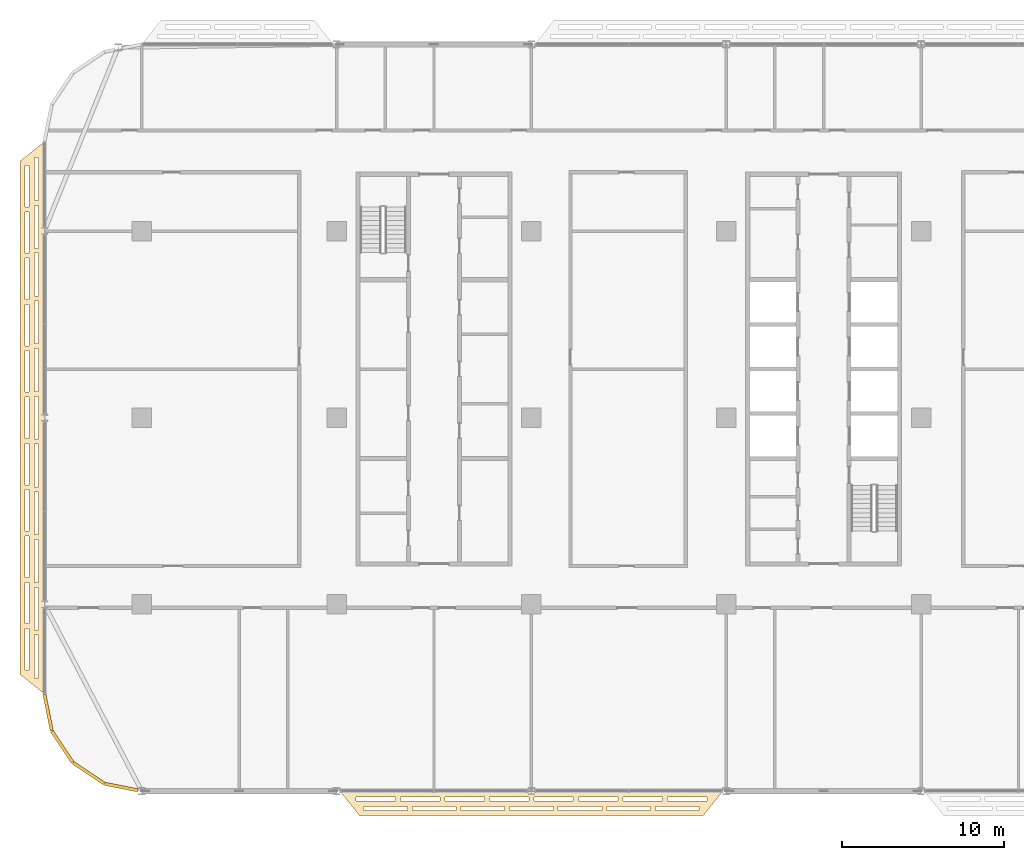
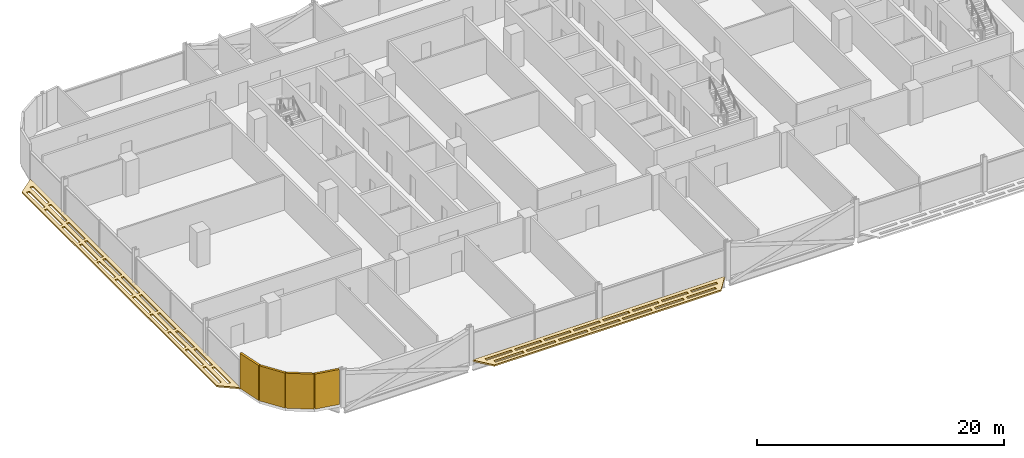
# One storey, part 22 of 27: 6 coverings.
"""IFC4 building model written with IfcOpenShell, lengths in metres."""

from ifc_helpers import new_model, si_unit, direction, frame, origin, origin_2d, place, context, subcontext, project, spatial, polyline, rectangle, outline, extrude, material, layer, layer_set, type_object, element, save


model = new_model("IFC4")

# Units and contexts
model_context = context("Model", 3, precision=1e-05, world=origin(), true_north=direction((0.0, 1.0)))
body_context = subcontext(model_context, "Body", "Model", "MODEL_VIEW")
ifc_project = project(units=[si_unit("LENGTHUNIT", "METRE"), si_unit("AREAUNIT", "SQUARE_METRE"), si_unit("VOLUMEUNIT", "CUBIC_METRE"), si_unit("PLANEANGLEUNIT", "RADIAN"), si_unit("MASSUNIT", "GRAM", prefix="KILO")], contexts=[model_context])

# Site, building, storey
site_placement = place(None, origin())
site = spatial("IfcSite", under=ifc_project, at=site_placement, CompositionType="ELEMENT")
building_placement = place(site_placement, origin())
building = spatial("IfcBuilding", under=site, at=building_placement, Name="Mahtab Terrace Research Tower", CompositionType="ELEMENT")
storey_placement = place(building_placement, frame((0.0, 0.0, 166.800048828125)))
storey = spatial("IfcBuildingStorey", under=building, at=storey_placement, Name="L39", CompositionType="ELEMENT", Elevation=166.800048828125)

# Coverings
ifc_material_1 = material(Name="Black aluminium cladding panel", Category="aluminium")
ifc_layer_1 = layer(ifc_material_1, 0.199951171875)
ifc_layer_set_1 = layer_set([ifc_layer_1], Name="Black metal corner cladding 200")
covering_type_1 = type_object("IfcCoveringType", Name="Black metal corner cladding 200", PredefinedType="CLADDING", material=ifc_layer_set_1)
for number, where, z_axis, x_axis, name in (
    (1, (-47.771484375, -18.14794921875, 0.0), (0.0, 0.0, 1.0), (0.195212442692, -0.980760981187, 0.0), "Corner cladding L39 19"),
    (2, (-46.89306640625, -20.26953125, 0.0), (0.0, 0.0, 1.0), (0.555291490808, -0.831655794326, 0.0), "Corner cladding L39 20"),
    (3, (-45.26953125, -21.89306640625, 0.0), (0.0, 0.0, 1.0), (0.831655794326, -0.555291490808, 0.0), "Corner cladding L39 21"),
):
    element("IfcCovering", number, at=place(storey_placement, frame(where, z_axis=z_axis, x_axis=x_axis)), inside=storey, type_object=covering_type_1, Name=name, PredefinedType="CLADDING", context=body_context, shape_type="SweptSolid", body=[
        extrude(rectangle(XDim=2.30126953125, YDim=0.199951171875, at=origin_2d()), origin(), (0.0, 0.0, 1.0), 3.4599609375),
    ])
covering_1_placement = place(storey_placement, frame((-43.25830078125, -22.74951171875, 0.0), z_axis=(0.0, 0.0, 1.0), x_axis=(0.980760981187, -0.195212442692, 0.0)))
element("IfcCovering", 4, at=covering_1_placement, inside=storey, type_object=covering_type_1, Name="Corner cladding L39 22", PredefinedType="CLADDING", context=body_context, shape_type="SweptSolid", body=[
    extrude(rectangle(XDim=2.07666015625, YDim=0.199951171875, at=origin_2d()), origin(), (0.0, 0.0, 1.0), 3.4599609375),
])
ifc_material_2 = material(Name="Black anodised aluminium", Category="aluminium")
ifc_layer_2 = layer(ifc_material_2, 0.14990234375)
ifc_layer_set_2 = layer_set([ifc_layer_2], Name="Horizontal sunshade band")
covering_type_2 = type_object("IfcCoveringType", Name="Horizontal sunshade band", PredefinedType="CLADDING", material=ifc_layer_set_2)
covering_2_placement = place(storey_placement, frame((0.0, 0.0, -0.150146484375)))
element("IfcCovering", 5, at=covering_2_placement, inside=storey, type_object=covering_type_2, Name="Sunshade band L39 15", PredefinedType="CLADDING", context=body_context, shape_type="SweptSolid", body=[
    extrude(outline(polyline([(-48.0, 17.0), (-48.0, -17.0), (-49.5, -15.800048828125), (-49.5, 15.800048828125), (-48.0, 17.0)]), holes=[polyline([(-48.35009765625, 16.02001953125), (-48.35009765625, 13.3798828125), (-48.60009765625, 13.3798828125), (-48.60009765625, 16.02001953125), (-48.35009765625, 16.02001953125)]), polyline([(-48.35009765625, 13.080078125), (-48.35009765625, 10.43994140625), (-48.60009765625, 10.43994140625), (-48.60009765625, 13.080078125), (-48.35009765625, 13.080078125)]), polyline([(-48.35009765625, 10.139892578125), (-48.35009765625, 7.5), (-48.60009765625, 7.5), (-48.60009765625, 10.139892578125), (-48.35009765625, 10.139892578125)]), polyline([(-48.35009765625, 7.199951171875), (-48.35009765625, 4.56005859375), (-48.60009765625, 4.56005859375), (-48.60009765625, 7.199951171875), (-48.35009765625, 7.199951171875)]), polyline([(-48.35009765625, 4.260009765625), (-48.35009765625, 1.6201171875), (-48.60009765625, 1.6201171875), (-48.60009765625, 4.260009765625), (-48.35009765625, 4.260009765625)]), polyline([(-48.35009765625, 1.320068359375), (-48.35009765625, -1.320068359375), (-48.60009765625, -1.320068359375), (-48.60009765625, 1.320068359375), (-48.35009765625, 1.320068359375)]), polyline([(-48.35009765625, -1.6201171875), (-48.35009765625, -4.260009765625), (-48.60009765625, -4.260009765625), (-48.60009765625, -1.6201171875), (-48.35009765625, -1.6201171875)]), polyline([(-48.35009765625, -4.56005859375), (-48.35009765625, -7.199951171875), (-48.60009765625, -7.199951171875), (-48.60009765625, -4.56005859375), (-48.35009765625, -4.56005859375)]), polyline([(-48.35009765625, -7.5), (-48.35009765625, -10.139892578125), (-48.60009765625, -10.139892578125), (-48.60009765625, -7.5), (-48.35009765625, -7.5)]), polyline([(-48.35009765625, -10.43994140625), (-48.35009765625, -13.080078125), (-48.60009765625, -13.080078125), (-48.60009765625, -10.43994140625), (-48.35009765625, -10.43994140625)]), polyline([(-48.35009765625, -13.3798828125), (-48.35009765625, -16.02001953125), (-48.60009765625, -16.02001953125), (-48.60009765625, -13.3798828125), (-48.35009765625, -13.3798828125)]), polyline([(-48.949951171875, 15.5400390625), (-48.949951171875, 12.987060546875), (-49.199951171875, 12.987060546875), (-49.199951171875, 15.5400390625), (-48.949951171875, 15.5400390625)]), polyline([(-48.949951171875, 12.68701171875), (-48.949951171875, 10.135009765625), (-49.199951171875, 10.135009765625), (-49.199951171875, 12.68701171875), (-48.949951171875, 12.68701171875)]), polyline([(-48.949951171875, 9.8349609375), (-48.949951171875, 7.281982421875), (-49.199951171875, 7.281982421875), (-49.199951171875, 9.8349609375), (-48.949951171875, 9.8349609375)]), polyline([(-48.949951171875, 6.98193359375), (-48.949951171875, 4.428955078125), (-49.199951171875, 4.428955078125), (-49.199951171875, 6.98193359375), (-48.949951171875, 6.98193359375)]), polyline([(-48.949951171875, 4.12890625), (-48.949951171875, 1.575927734375), (-49.199951171875, 1.575927734375), (-49.199951171875, 4.12890625), (-48.949951171875, 4.12890625)]), polyline([(-48.949951171875, 1.27587890625), (-48.949951171875, -1.27587890625), (-49.199951171875, -1.27587890625), (-49.199951171875, 1.27587890625), (-48.949951171875, 1.27587890625)]), polyline([(-48.949951171875, -1.575927734375), (-48.949951171875, -4.12890625), (-49.199951171875, -4.12890625), (-49.199951171875, -1.575927734375), (-48.949951171875, -1.575927734375)]), polyline([(-48.949951171875, -4.428955078125), (-48.949951171875, -6.98193359375), (-49.199951171875, -6.98193359375), (-49.199951171875, -4.428955078125), (-48.949951171875, -4.428955078125)]), polyline([(-48.949951171875, -7.281982421875), (-48.949951171875, -9.8349609375), (-49.199951171875, -9.8349609375), (-49.199951171875, -7.281982421875), (-48.949951171875, -7.281982421875)]), polyline([(-48.949951171875, -10.135009765625), (-48.949951171875, -12.68701171875), (-49.199951171875, -12.68701171875), (-49.199951171875, -10.135009765625), (-48.949951171875, -10.135009765625)]), polyline([(-48.949951171875, -12.987060546875), (-48.949951171875, -15.5400390625), (-49.199951171875, -15.5400390625), (-49.199951171875, -12.987060546875), (-48.949951171875, -12.987060546875)])]), origin(), (0.0, 0.0, 1.0), 0.150146484375),
])
covering_3_placement = place(storey_placement, frame((0.0, 0.0, -0.150146484375)))
element("IfcCovering", 6, at=covering_3_placement, inside=storey, type_object=covering_type_2, Name="Sunshade band L39 24", PredefinedType="CLADDING", context=body_context, shape_type="SweptSolid", body=[
    extrude(outline(polyline([(-29.7919921875, -23.0), (-6.2080078125, -23.0), (-7.407958984375, -24.5), (-28.592041015625, -24.5), (-29.7919921875, -23.0)]), holes=[polyline([(-28.81201171875, -23.35009765625), (-26.3720703125, -23.35009765625), (-26.3720703125, -23.60009765625), (-28.81201171875, -23.60009765625), (-28.81201171875, -23.35009765625)]), polyline([(-26.072021484375, -23.35009765625), (-23.631103515625, -23.35009765625), (-23.631103515625, -23.60009765625), (-26.072021484375, -23.60009765625), (-26.072021484375, -23.35009765625)]), polyline([(-23.3310546875, -23.35009765625), (-20.889892578125, -23.35009765625), (-20.889892578125, -23.60009765625), (-23.3310546875, -23.60009765625), (-23.3310546875, -23.35009765625)]), polyline([(-20.590087890625, -23.35009765625), (-18.14990234375, -23.35009765625), (-18.14990234375, -23.60009765625), (-20.590087890625, -23.60009765625), (-20.590087890625, -23.35009765625)]), polyline([(-17.85009765625, -23.35009765625), (-15.409912109375, -23.35009765625), (-15.409912109375, -23.60009765625), (-17.85009765625, -23.60009765625), (-17.85009765625, -23.35009765625)]), polyline([(-15.10888671875, -23.35009765625), (-12.6689453125, -23.35009765625), (-12.6689453125, -23.60009765625), (-15.10888671875, -23.60009765625), (-15.10888671875, -23.35009765625)]), polyline([(-12.368896484375, -23.35009765625), (-9.927978515625, -23.35009765625), (-9.927978515625, -23.60009765625), (-12.368896484375, -23.60009765625), (-12.368896484375, -23.35009765625)]), polyline([(-9.62890625, -23.35009765625), (-7.18798828125, -23.35009765625), (-7.18798828125, -23.60009765625), (-9.62890625, -23.60009765625), (-9.62890625, -23.35009765625)]), polyline([(-28.33203125, -23.949951171875), (-25.636962890625, -23.949951171875), (-25.636962890625, -24.199951171875), (-28.33203125, -24.199951171875), (-28.33203125, -23.949951171875)]), polyline([(-25.3369140625, -23.949951171875), (-22.64208984375, -23.949951171875), (-22.64208984375, -24.199951171875), (-25.3369140625, -24.199951171875), (-25.3369140625, -23.949951171875)]), polyline([(-22.342041015625, -23.949951171875), (-19.64697265625, -23.949951171875), (-19.64697265625, -24.199951171875), (-22.342041015625, -24.199951171875), (-22.342041015625, -23.949951171875)]), polyline([(-19.346923828125, -23.949951171875), (-16.653076171875, -23.949951171875), (-16.653076171875, -24.199951171875), (-19.346923828125, -24.199951171875), (-19.346923828125, -23.949951171875)]), polyline([(-16.35302734375, -23.949951171875), (-13.657958984375, -23.949951171875), (-13.657958984375, -24.199951171875), (-16.35302734375, -24.199951171875), (-16.35302734375, -23.949951171875)]), polyline([(-13.35791015625, -23.949951171875), (-10.6630859375, -23.949951171875), (-10.6630859375, -24.199951171875), (-13.35791015625, -24.199951171875), (-13.35791015625, -23.949951171875)]), polyline([(-10.363037109375, -23.949951171875), (-7.66796875, -23.949951171875), (-7.66796875, -24.199951171875), (-10.363037109375, -24.199951171875), (-10.363037109375, -23.949951171875)])]), origin(), (0.0, 0.0, 1.0), 0.150146484375),
])

save(model, "model.ifc")
